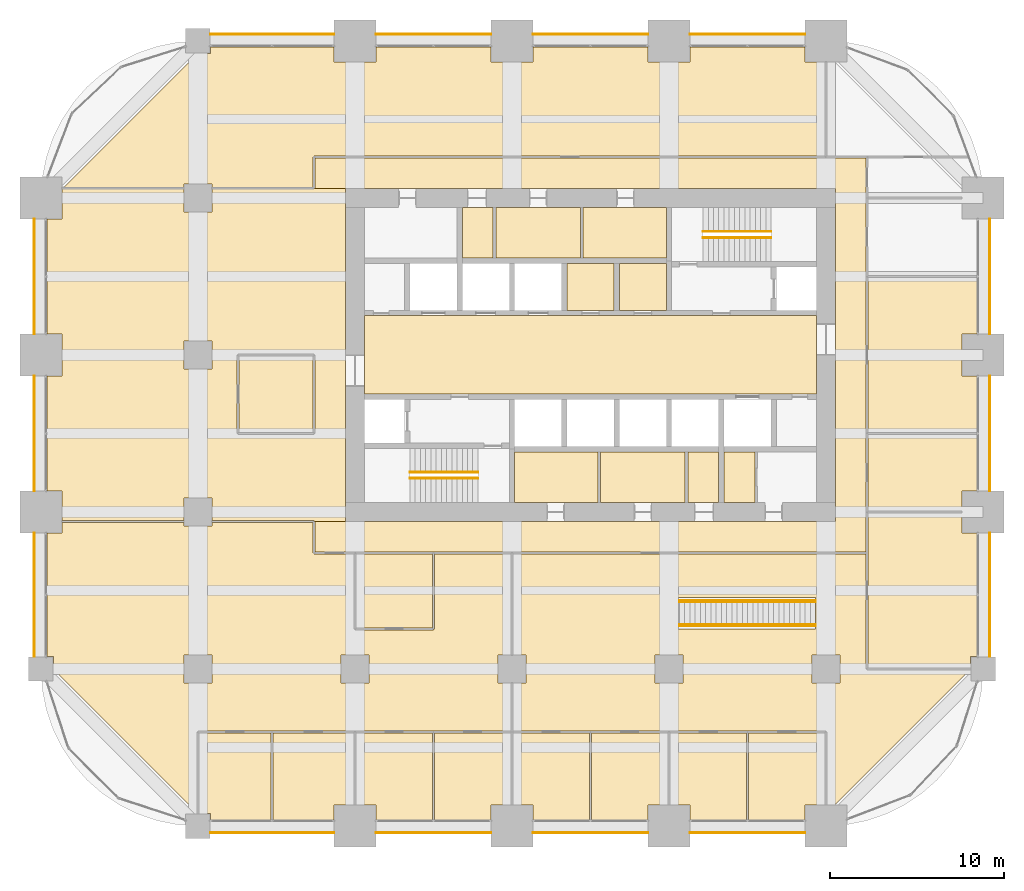
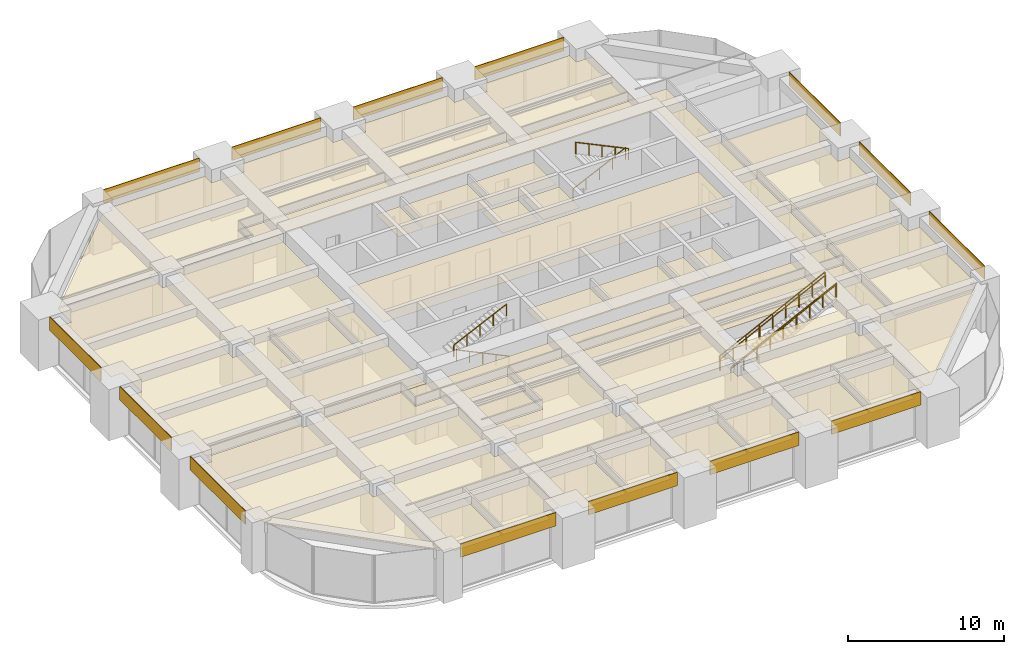
# One storey, part 33 of 34: 42 coverings, 8 railings.
"""IFC4 building model written with IfcOpenShell, lengths in metres."""

import ifcopenshell
import ifcopenshell.guid

model = None  # the IFC model being written
_history = None  # IfcOwnerHistory: only IFC2X3 demands one
_inside = {}  # id of a spatial element -> (the spatial element, [elements in it])
_under = {}  # id of a project, library or spatial element -> (it, [spatial elements below it])
_declared = {}  # id of a project -> (the project, [libraries it declares])
_typed = {}  # id of a type object -> (the type object, [elements of that type])
_made_of = {}  # id of a material, layer set ... -> (it, [elements and type objects made of it])


def new_model(schema):
    """Start an empty IFC model of exactly this schema.

    Asked for "IFC4X3", IfcOpenShell would pick the latest addendum, in which some entities
    have other attributes; the version numbers below select the first issue.
    IFC2X3 requires an IfcOwnerHistory on every rooted entity: one is made here for all.
    """
    global model, _history
    if schema == "IFC4X3":
        model = ifcopenshell.file(schema_version=(4, 3, 0, 0))
    else:
        model = ifcopenshell.file(schema=schema)
    _inside.clear()
    _under.clear()
    _declared.clear()
    _typed.clear()
    _made_of.clear()
    _history = None
    if model.schema == "IFC2X3":
        org = make("IfcOrganization", Name="unknown")
        user = make(
            "IfcPersonAndOrganization",
            ThePerson=make("IfcPerson", FamilyName="unknown"),
            TheOrganization=org,
        )
        app = make(
            "IfcApplication",
            ApplicationDeveloper=org,
            Version="unknown",
            ApplicationFullName="unknown",
            ApplicationIdentifier="unknown",
        )
        _history = make(
            "IfcOwnerHistory",
            OwningUser=user,
            OwningApplication=app,
            ChangeAction="ADDED",
            CreationDate=0,
        )
    return model


def make(cls, **values):
    """One entity of the class cls with the attributes given. An attribute that is None is left unset."""
    return model.create_entity(
        cls, **{name: value for name, value in values.items() if value is not None}
    )


def rooted(cls, **values):
    """An entity with a GlobalId (a new one), such as an element, a storey or a relation."""
    return make(cls, GlobalId=ifcopenshell.guid.new(), OwnerHistory=_history, **values)


def si_unit(unit_type, name, prefix=None):
    """IfcSIUnit, for example si_unit("LENGTHUNIT", "METRE", prefix="MILLI")."""
    return make("IfcSIUnit", UnitType=unit_type, Prefix=prefix, Name=name)


def assignment(units):
    """IfcUnitAssignment: the units of a project."""
    return None if units is None else make("IfcUnitAssignment", Units=units)


def point(xyz):
    """IfcCartesianPoint."""
    return None if xyz is None else make("IfcCartesianPoint", Coordinates=xyz)


def direction(xyz):
    """IfcDirection."""
    return None if xyz is None else make("IfcDirection", DirectionRatios=xyz)


def frame(location, z_axis=None, x_axis=None):
    """IfcAxis2Placement3D, a coordinate frame: its origin and axes. An axis left out is left unset."""
    return make(
        "IfcAxis2Placement3D",
        Location=point(location),
        Axis=direction(z_axis),
        RefDirection=direction(x_axis),
    )


def frame_2d(location, x_axis=None):
    """IfcAxis2Placement2D, a coordinate frame in the plane: its origin and x axis."""
    return make(
        "IfcAxis2Placement2D", Location=point(location), RefDirection=direction(x_axis)
    )


def origin():
    """The frame at (0, 0, 0) with its axes left unset."""
    return frame((0.0, 0.0, 0.0))


def origin_2d():
    """The frame at (0, 0) in the plane with its x axis left unset."""
    return frame_2d((0.0, 0.0))


def place(relative_to, where):
    """IfcLocalPlacement: puts the frame where relative to a parent placement (None: the world)."""
    return make(
        "IfcLocalPlacement", PlacementRelTo=relative_to, RelativePlacement=where
    )


def context(
    kind, dimensions, precision=None, world=None, true_north=None, identifier=None
):
    """IfcGeometricRepresentationContext, for example the 3D "Model" context."""
    return make(
        "IfcGeometricRepresentationContext",
        ContextIdentifier=identifier,
        ContextType=kind,
        CoordinateSpaceDimension=dimensions,
        Precision=precision,
        WorldCoordinateSystem=world,
        TrueNorth=true_north,
    )


def subcontext(parent, identifier, kind, view, scale=None):
    """IfcGeometricRepresentationSubContext, for example "Body" below "Model"."""
    return make(
        "IfcGeometricRepresentationSubContext",
        ContextIdentifier=identifier,
        ContextType=kind,
        ParentContext=parent,
        TargetScale=scale,
        TargetView=view,
    )


def project(units=None, contexts=None):
    """IfcProject with its units and contexts."""
    return rooted(
        "IfcProject",
        Name="project",
        RepresentationContexts=contexts,
        UnitsInContext=assignment(units),
    )


def spatial(cls, under=None, at=None, **own):
    """A site, building, storey or space (cls), placed at a placement, below another one or the project."""
    s = rooted(cls, ObjectPlacement=at, **own)
    if under is not None:
        _under.setdefault(under.id(), (under, []))[1].append(s)
    return s


def polyline(points):
    """IfcPolyline through the points."""
    return make("IfcPolyline", Points=[point(p) for p in points])


def profile(cls, at=None, kind="AREA", **sizes):
    """A parametric profile (cls). Its sizes go by their IFC names, for example OverallWidth=200.0."""
    return make(cls, ProfileType=kind, Position=at, **sizes)


def rectangle(**sizes):
    """IfcRectangleProfileDef."""
    return profile("IfcRectangleProfileDef", **sizes)


def circle(**sizes):
    """IfcCircleProfileDef."""
    return profile("IfcCircleProfileDef", **sizes)


def outline(outer, holes=None, kind="AREA"):
    """IfcArbitraryClosedProfileDef: a profile drawn as a closed curve; with holes, ...WithVoids."""
    if holes is None:
        return make("IfcArbitraryClosedProfileDef", ProfileType=kind, OuterCurve=outer)
    return make(
        "IfcArbitraryProfileDefWithVoids",
        ProfileType=kind,
        OuterCurve=outer,
        InnerCurves=holes,
    )


def extrude(swept, where, along, depth):
    """IfcExtrudedAreaSolid: the profile swept, set in the frame where, extruded along a direction by depth."""
    return make(
        "IfcExtrudedAreaSolid",
        SweptArea=swept,
        Position=where,
        ExtrudedDirection=direction(along),
        Depth=depth,
    )


def shape(context_of_items, identifier, shape_type, items):
    """IfcShapeRepresentation: the items that make up one representation, for example the "Body"."""
    return make(
        "IfcShapeRepresentation",
        ContextOfItems=context_of_items,
        RepresentationIdentifier=identifier,
        RepresentationType=shape_type,
        Items=items,
    )


def material(Name=None, Category=None):
    """IfcMaterial."""
    return make("IfcMaterial", Name=Name, Category=Category)


def layer(
    of_material, thickness, ventilated=None, Name=None, Category=None, Priority=None
):
    """IfcMaterialLayer: one layer of a wall or slab, of a material (None: an air gap)."""
    return make(
        "IfcMaterialLayer",
        Material=of_material,
        LayerThickness=thickness,
        IsVentilated=ventilated,
        Name=Name,
        Category=Category,
        Priority=Priority,
    )


def layer_set(layers, Name=None):
    """IfcMaterialLayerSet."""
    return make("IfcMaterialLayerSet", MaterialLayers=layers, LayerSetName=Name)


def made_of(thing, what):
    """Note that an element or type object is made of a material, layer set ...; save() writes the relation."""
    if what is not None:
        _made_of.setdefault(what.id(), (what, []))[1].append(thing)
    return thing


def type_object(cls, material=None, **own):
    """A type object (cls), such as IfcWallType, which elements share."""
    return made_of(rooted(cls, **own), material)


def element(
    cls,
    number,
    at=None,
    inside=None,
    cuts=None,
    type_object=None,
    material=None,
    context=None,
    identifier="Body",
    shape_type=None,
    held_by="IfcProductDefinitionShape",
    body=None,
    shapes=None,
    **own,
):
    """One element of the class cls, such as IfcWall. Its Tag is "e" and its number.

    at: its placement. inside: the storey or other place that contains it. cuts: it is an
    opening in that element (IfcRelVoidsElement). A single representation is given by context,
    identifier, shape_type and body (its items); several are given by shapes. held_by: the class
    of the entity that holds the representations. save() writes the other relations.
    """
    e = rooted(cls, Tag="e%d" % number, ObjectPlacement=at, **own)
    if body is not None:
        shapes = [shape(context, identifier, shape_type, body)]
    if shapes is not None:
        e.Representation = make(held_by, Representations=shapes)
    if inside is not None:
        _inside.setdefault(inside.id(), (inside, []))[1].append(e)
    if cuts is not None:
        rooted(
            "IfcRelVoidsElement", RelatingBuildingElement=cuts, RelatedOpeningElement=e
        )
    if type_object is not None:
        _typed.setdefault(type_object.id(), (type_object, []))[1].append(e)
    return made_of(e, material)


def aggregate(whole, parts):
    """IfcRelAggregates: a whole, such as a stair, and the parts it consists of."""
    return rooted("IfcRelAggregates", RelatingObject=whole, RelatedObjects=parts)


def save(model, path):
    """Write the relations noted so far, then the file.

    IfcRelAggregates (storeys below a building ...), IfcRelContainedInSpatialStructure (elements
    in a storey), IfcRelDefinesByType, IfcRelAssociatesMaterial and IfcRelDeclares: one each for
    every whole, place, type object, material and project.
    """
    for whole, parts in _under.values():
        aggregate(whole, parts)
    for where, things in _inside.values():
        rooted(
            "IfcRelContainedInSpatialStructure",
            RelatedElements=things,
            RelatingStructure=where,
        )
    for kind, things in _typed.values():
        rooted("IfcRelDefinesByType", RelatedObjects=things, RelatingType=kind)
    for what, things in _made_of.values():
        rooted("IfcRelAssociatesMaterial", RelatedObjects=things, RelatingMaterial=what)
    for by, libraries in _declared.values():
        rooted("IfcRelDeclares", RelatingContext=by, RelatedDefinitions=libraries)
    model.write(path)


model = new_model("IFC4")

# Units and contexts
model_context = context("Model", 3, precision=1e-05, world=origin(), true_north=direction((0.0, 1.0)))
body_context = subcontext(model_context, "Body", "Model", "MODEL_VIEW")
ifc_project = project(units=[si_unit("LENGTHUNIT", "METRE"), si_unit("AREAUNIT", "SQUARE_METRE"), si_unit("VOLUMEUNIT", "CUBIC_METRE"), si_unit("PLANEANGLEUNIT", "RADIAN"), si_unit("MASSUNIT", "GRAM", prefix="KILO")], contexts=[model_context])

# Site, building, storey
site_placement = place(None, origin())
site = spatial("IfcSite", under=ifc_project, at=site_placement, CompositionType="ELEMENT")
building_placement = place(site_placement, origin())
building = spatial("IfcBuilding", under=site, at=building_placement, Name="Zorevar Civic Tower", CompositionType="ELEMENT")
storey_placement = place(building_placement, frame((0.0, 0.0, 174.199951171875)))
storey = spatial("IfcBuildingStorey", under=building, at=storey_placement, Name="L42", CompositionType="ELEMENT", Elevation=174.199951171875)

# Railings
ifc_material_1 = material(Name="Laminated glass balustrade with black steel handrail", Category="steel")
railing_type_1 = type_object("IfcRailingType", Name="Balustrade BL1 1100", PredefinedType="BALUSTRADE", material=ifc_material_1)
for number, where, name in (
    (1, (36.60009765625, 11.47998046875, 0.148193359375), "Balustrade BL1 interconnecting stair L42"),
    (2, (36.60009765625, 12.919921875, 0.148193359375), "Balustrade BL1 interconnecting stair L42"),
):
    element("IfcRailing", number, at=place(storey_placement, frame(where)), inside=storey, type_object=railing_type_1, Name=name, PredefinedType="BALUSTRADE", context=body_context, shape_type="SweptSolid", body=[
        extrude(circle(Radius=0.02392578125, at=origin_2d()), frame((0.0, 0.0, 1.076171875), z_axis=(0.896627794226, 0.0, 0.442785047875), x_axis=(0.0, 1.0, 0.0)), (0.0, 0.0, 1.0), 8.698974609375),
        extrude(circle(Radius=0.02099609375, at=origin_2d()), origin(), (0.0, 0.0, 1.0), 1.052001953125),
        extrude(circle(Radius=0.02099609375, at=origin_2d()), frame((0.97509765625, 0.0, 0.4814453125)), (0.0, 0.0, 1.0), 1.052001953125),
        extrude(circle(Radius=0.02099609375, at=origin_2d()), frame((1.949951171875, 0.0, 0.962890625)), (0.0, 0.0, 1.0), 1.052001953125),
        extrude(circle(Radius=0.02099609375, at=origin_2d()), frame((2.9248046875, 0.0, 1.4443359375)), (0.0, 0.0, 1.0), 1.052001953125),
        extrude(circle(Radius=0.02099609375, at=origin_2d()), frame((3.89990234375, 0.0, 1.92578125)), (0.0, 0.0, 1.0), 1.052001953125),
        extrude(circle(Radius=0.02099609375, at=origin_2d()), frame((4.875, 0.0, 2.407470703125)), (0.0, 0.0, 1.0), 1.052001953125),
        extrude(circle(Radius=0.02099609375, at=origin_2d()), frame((5.849853515625, 0.0, 2.888916015625)), (0.0, 0.0, 1.0), 1.052001953125),
        extrude(circle(Radius=0.02099609375, at=origin_2d()), frame((6.82470703125, 0.0, 3.370361328125)), (0.0, 0.0, 1.0), 1.052001953125),
        extrude(circle(Radius=0.02099609375, at=origin_2d()), frame((7.7998046875, 0.0, 3.851806640625)), (0.0, 0.0, 1.0), 1.052001953125),
    ])
ifc_material_2 = material(Name="Black steel handrail", Category="steel")
railing_type_2 = type_object("IfcRailingType", Name="Handrail HR1 900", PredefinedType="HANDRAIL", material=ifc_material_2)
railing_1_placement = place(storey_placement, frame((25.050048828125, 19.925048828125, 0.142822265625)))
element("IfcRailing", 3, at=railing_1_placement, inside=storey, type_object=railing_type_2, Name="Handrail HR1 ST1 L42", PredefinedType="HANDRAIL", context=body_context, shape_type="SweptSolid", body=[
    extrude(circle(Radius=0.02392578125, at=origin_2d()), frame((0.0, 0.0, 0.8759765625), z_axis=(-0.902863652845, 0.0, 0.429926998885), x_axis=(0.0, -1.0, 0.0)), (0.0, 0.0, 1.0), 4.31982421875),
    extrude(circle(Radius=0.02099609375, at=origin_2d()), origin(), (0.0, 0.0, 1.0), 0.851806640625),
    extrude(circle(Radius=0.02099609375, at=origin_2d()), frame((-0.97509765625, 0.0, 0.46435546875)), (0.0, 0.0, 1.0), 0.851806640625),
    extrude(circle(Radius=0.02099609375, at=origin_2d()), frame((-1.9501953125, 0.0, 0.9287109375)), (0.0, 0.0, 1.0), 0.851806640625),
    extrude(circle(Radius=0.02099609375, at=origin_2d()), frame((-2.925048828125, 0.0, 1.392822265625)), (0.0, 0.0, 1.0), 0.851806640625),
    extrude(circle(Radius=0.02099609375, at=origin_2d()), frame((-3.900146484375, 0.0, 1.857177734375)), (0.0, 0.0, 1.0), 0.851806640625),
])
for number, where, name in (
    (4, (21.14990234375, 20.27490234375, 2.142822265625), "Handrail HR1 ST1 L42"),
    (5, (37.949951171875, 34.074951171875, 0.142822265625), "Handrail HR1 ST2 L42"),
):
    element("IfcRailing", number, at=place(storey_placement, frame(where)), inside=storey, type_object=railing_type_2, Name=name, PredefinedType="HANDRAIL", context=body_context, shape_type="SweptSolid", body=[
        extrude(circle(Radius=0.02392578125, at=origin_2d()), frame((0.0, 0.0, 0.8759765625), z_axis=(0.902863652845, 0.0, 0.429926998885), x_axis=(0.0, 1.0, 0.0)), (0.0, 0.0, 1.0), 4.31982421875),
        extrude(circle(Radius=0.02099609375, at=origin_2d()), origin(), (0.0, 0.0, 1.0), 0.851806640625),
        extrude(circle(Radius=0.02099609375, at=origin_2d()), frame((0.97509765625, 0.0, 0.46435546875)), (0.0, 0.0, 1.0), 0.851806640625),
        extrude(circle(Radius=0.02099609375, at=origin_2d()), frame((1.9501953125, 0.0, 0.9287109375)), (0.0, 0.0, 1.0), 0.851806640625),
        extrude(circle(Radius=0.02099609375, at=origin_2d()), frame((2.925048828125, 0.0, 1.392822265625)), (0.0, 0.0, 1.0), 0.851806640625),
        extrude(circle(Radius=0.02099609375, at=origin_2d()), frame((3.900146484375, 0.0, 1.857177734375)), (0.0, 0.0, 1.0), 0.851806640625),
    ])
railing_2_placement = place(storey_placement, frame((41.85009765625, 33.72509765625, 2.142822265625)))
element("IfcRailing", 6, at=railing_2_placement, inside=storey, type_object=railing_type_2, Name="Handrail HR1 ST2 L42", PredefinedType="HANDRAIL", context=body_context, shape_type="SweptSolid", body=[
    extrude(circle(Radius=0.02392578125, at=origin_2d()), frame((0.0, 0.0, 0.8759765625), z_axis=(-0.902863652845, 0.0, 0.429926998885), x_axis=(0.0, -1.0, 0.0)), (0.0, 0.0, 1.0), 4.31982421875),
    extrude(circle(Radius=0.02099609375, at=origin_2d()), origin(), (0.0, 0.0, 1.0), 0.851806640625),
    extrude(circle(Radius=0.02099609375, at=origin_2d()), frame((-0.97509765625, 0.0, 0.46435546875)), (0.0, 0.0, 1.0), 0.851806640625),
    extrude(circle(Radius=0.02099609375, at=origin_2d()), frame((-1.9501953125, 0.0, 0.9287109375)), (0.0, 0.0, 1.0), 0.851806640625),
    extrude(circle(Radius=0.02099609375, at=origin_2d()), frame((-2.925048828125, 0.0, 1.392822265625)), (0.0, 0.0, 1.0), 0.851806640625),
    extrude(circle(Radius=0.02099609375, at=origin_2d()), frame((-3.900146484375, 0.0, 1.857177734375)), (0.0, 0.0, 1.0), 0.851806640625),
])
for number, where, name in (
    (7, (36.60009765625, 11.550048828125, 0.148193359375), "Handrail HR1 interconnecting stair L42"),
    (8, (36.60009765625, 12.85009765625, 0.148193359375), "Handrail HR1 interconnecting stair L42"),
):
    element("IfcRailing", number, at=place(storey_placement, frame(where)), inside=storey, type_object=railing_type_2, Name=name, PredefinedType="HANDRAIL", context=body_context, shape_type="SweptSolid", body=[
        extrude(circle(Radius=0.02392578125, at=origin_2d()), frame((0.0, 0.0, 0.8759765625), z_axis=(0.896627794226, 0.0, 0.442785047875), x_axis=(0.0, 1.0, 0.0)), (0.0, 0.0, 1.0), 8.698974609375),
        extrude(circle(Radius=0.02099609375, at=origin_2d()), origin(), (0.0, 0.0, 1.0), 0.851806640625),
        extrude(circle(Radius=0.02099609375, at=origin_2d()), frame((0.97509765625, 0.0, 0.4814453125)), (0.0, 0.0, 1.0), 0.851806640625),
        extrude(circle(Radius=0.02099609375, at=origin_2d()), frame((1.949951171875, 0.0, 0.962890625)), (0.0, 0.0, 1.0), 0.851806640625),
        extrude(circle(Radius=0.02099609375, at=origin_2d()), frame((2.9248046875, 0.0, 1.4443359375)), (0.0, 0.0, 1.0), 0.851806640625),
        extrude(circle(Radius=0.02099609375, at=origin_2d()), frame((3.89990234375, 0.0, 1.92578125)), (0.0, 0.0, 1.0), 0.851806640625),
        extrude(circle(Radius=0.02099609375, at=origin_2d()), frame((4.875, 0.0, 2.407470703125)), (0.0, 0.0, 1.0), 0.851806640625),
        extrude(circle(Radius=0.02099609375, at=origin_2d()), frame((5.849853515625, 0.0, 2.888916015625)), (0.0, 0.0, 1.0), 0.851806640625),
        extrude(circle(Radius=0.02099609375, at=origin_2d()), frame((6.82470703125, 0.0, 3.370361328125)), (0.0, 0.0, 1.0), 0.851806640625),
        extrude(circle(Radius=0.02099609375, at=origin_2d()), frame((7.7998046875, 0.0, 3.851806640625)), (0.0, 0.0, 1.0), 0.851806640625),
    ])

# Coverings
ifc_material_3 = material(Name="Moisture-resistant gypsum board")
ifc_layer_1 = layer(ifc_material_3, 0.012451171875)
ifc_layer_set_1 = layer_set([ifc_layer_1], Name="Moisture-resistant ceiling SC3")
covering_type_1 = type_object("IfcCoveringType", Name="Moisture-resistant ceiling SC3", PredefinedType="CEILING", material=ifc_layer_set_1)
covering_1_placement = place(storey_placement, frame((0.0, 0.0, 3.0)))
element("IfcCovering", 9, at=covering_1_placement, inside=storey, type_object=covering_type_1, Name="Ceiling L42-05", PredefinedType="CEILING", context=body_context, shape_type="SweptSolid", body=[
    extrude(outline(polyline([(31.925048828125, 18.550048828125), (31.925048828125, 21.449951171875), (27.14990234375, 21.449951171875), (27.14990234375, 18.550048828125), (31.925048828125, 18.550048828125)])), origin(), (0.0, 0.0, 1.0), 0.012451171875),
])
covering_2_placement = place(storey_placement, frame((0.0, 0.0, 3.0)))
element("IfcCovering", 10, at=covering_2_placement, inside=storey, type_object=covering_type_1, Name="Ceiling L42-06", PredefinedType="CEILING", context=body_context, shape_type="SweptSolid", body=[
    extrude(outline(polyline([(36.925048828125, 18.550048828125), (36.925048828125, 21.449951171875), (32.074951171875, 21.449951171875), (32.074951171875, 18.550048828125), (36.925048828125, 18.550048828125)])), origin(), (0.0, 0.0, 1.0), 0.012451171875),
])
covering_3_placement = place(storey_placement, frame((0.0, 0.0, 3.0)))
element("IfcCovering", 11, at=covering_3_placement, inside=storey, type_object=covering_type_1, Name="Ceiling L42-07", PredefinedType="CEILING", context=body_context, shape_type="SweptSolid", body=[
    extrude(outline(polyline([(38.85009765625, 18.550048828125), (38.85009765625, 21.449951171875), (37.074951171875, 21.449951171875), (37.074951171875, 18.550048828125), (38.85009765625, 18.550048828125)])), origin(), (0.0, 0.0, 1.0), 0.012451171875),
])
covering_4_placement = place(storey_placement, frame((0.0, 0.0, 3.0)))
element("IfcCovering", 12, at=covering_4_placement, inside=storey, type_object=covering_type_1, Name="Ceiling L42-08", PredefinedType="CEILING", context=body_context, shape_type="SweptSolid", body=[
    extrude(outline(polyline([(35.85009765625, 32.550048828125), (35.85009765625, 35.449951171875), (31.074951171875, 35.449951171875), (31.074951171875, 32.550048828125), (35.85009765625, 32.550048828125)])), origin(), (0.0, 0.0, 1.0), 0.012451171875),
])
covering_5_placement = place(storey_placement, frame((0.0, 0.0, 3.0)))
element("IfcCovering", 13, at=covering_5_placement, inside=storey, type_object=covering_type_1, Name="Ceiling L42-09", PredefinedType="CEILING", context=body_context, shape_type="SweptSolid", body=[
    extrude(outline(polyline([(30.925048828125, 32.550048828125), (30.925048828125, 35.449951171875), (26.074951171875, 35.449951171875), (26.074951171875, 32.550048828125), (30.925048828125, 32.550048828125)])), origin(), (0.0, 0.0, 1.0), 0.012451171875),
])
covering_6_placement = place(storey_placement, frame((0.0, 0.0, 3.0)))
element("IfcCovering", 14, at=covering_6_placement, inside=storey, type_object=covering_type_1, Name="Ceiling L42-10", PredefinedType="CEILING", context=body_context, shape_type="SweptSolid", body=[
    extrude(outline(polyline([(25.925048828125, 32.550048828125), (25.925048828125, 35.449951171875), (24.14990234375, 35.449951171875), (24.14990234375, 32.550048828125), (25.925048828125, 32.550048828125)])), origin(), (0.0, 0.0, 1.0), 0.012451171875),
])
ifc_material_4 = material(Name="Black anodised aluminium spandrel panel", Category="aluminium")
ifc_layer_2 = layer(ifc_material_4, 0.050048828125)
ifc_layer_set_2 = layer_set([ifc_layer_2], Name="Spandrel cladding SP1")
covering_type_2 = type_object("IfcCoveringType", Name="Spandrel cladding SP1", PredefinedType="CLADDING", material=ifc_layer_set_2)
covering_7_placement = place(storey_placement, frame((9.699951171875, -0.375, 2.949951171875), z_axis=(0.0, 0.0, 1.0), x_axis=(1.0, 0.0, 0.0)))
element("IfcCovering", 15, at=covering_7_placement, inside=storey, type_object=covering_type_2, Name="Spandrel cladding L43", PredefinedType="CLADDING", context=body_context, shape_type="SweptSolid", body=[
    extrude(rectangle(XDim=7.10009765625, YDim=0.050048828125, at=frame_2d((3.550048828125, 0.0))), origin(), (0.0, 0.0, 1.0), 1.050048828125),
])
for number, where, z_axis, x_axis, name in (
    (16, (19.199951171875, -0.375, 2.949951171875), (0.0, 0.0, 1.0), (1.0, 0.0, 0.0), "Spandrel cladding L43"),
    (17, (28.199951171875, -0.375, 2.949951171875), (0.0, 0.0, 1.0), (1.0, 0.0, 0.0), "Spandrel cladding L43"),
    (18, (37.199951171875, -0.375, 2.949951171875), (0.0, 0.0, 1.0), (1.0, 0.0, 0.0), "Spandrel cladding L43"),
):
    element("IfcCovering", number, at=place(storey_placement, frame(where, z_axis=z_axis, x_axis=x_axis)), inside=storey, type_object=covering_type_2, Name=name, PredefinedType="CLADDING", context=body_context, shape_type="SweptSolid", body=[
        extrude(rectangle(XDim=6.60009765625, YDim=0.050048828125, at=frame_2d((3.300048828125, 0.0))), origin(), (0.0, 0.0, 1.0), 1.050048828125),
    ])
covering_8_placement = place(storey_placement, frame((9.699951171875, 45.375, 2.949951171875), z_axis=(0.0, 0.0, 1.0), x_axis=(1.0, 0.0, 0.0)))
element("IfcCovering", 19, at=covering_8_placement, inside=storey, type_object=covering_type_2, Name="Spandrel cladding L43", PredefinedType="CLADDING", context=body_context, shape_type="SweptSolid", body=[
    extrude(rectangle(XDim=7.10009765625, YDim=0.050048828125, at=frame_2d((3.550048828125, 0.0))), origin(), (0.0, 0.0, 1.0), 1.050048828125),
])
for number, where, z_axis, x_axis, name in (
    (20, (19.199951171875, 45.375, 2.949951171875), (0.0, 0.0, 1.0), (1.0, 0.0, 0.0), "Spandrel cladding L43"),
    (21, (28.199951171875, 45.375, 2.949951171875), (0.0, 0.0, 1.0), (1.0, 0.0, 0.0), "Spandrel cladding L43"),
    (22, (37.199951171875, 45.375, 2.949951171875), (0.0, 0.0, 1.0), (1.0, 0.0, 0.0), "Spandrel cladding L43"),
):
    element("IfcCovering", number, at=place(storey_placement, frame(where, z_axis=z_axis, x_axis=x_axis)), inside=storey, type_object=covering_type_2, Name=name, PredefinedType="CLADDING", context=body_context, shape_type="SweptSolid", body=[
        extrude(rectangle(XDim=6.60009765625, YDim=0.050048828125, at=frame_2d((3.300048828125, 0.0))), origin(), (0.0, 0.0, 1.0), 1.050048828125),
    ])
covering_9_placement = place(storey_placement, frame((-0.375, 9.699951171875, 2.949951171875), z_axis=(0.0, 0.0, 1.0), x_axis=(0.0, 1.0, 0.0)))
element("IfcCovering", 23, at=covering_9_placement, inside=storey, type_object=covering_type_2, Name="Spandrel cladding L43", PredefinedType="CLADDING", context=body_context, shape_type="SweptSolid", body=[
    extrude(rectangle(XDim=7.10009765625, YDim=0.050048828125, at=frame_2d((3.550048828125, 0.0))), origin(), (0.0, 0.0, 1.0), 1.050048828125),
])
for number, where, z_axis, x_axis, name in (
    (24, (-0.375, 19.199951171875, 2.949951171875), (0.0, 0.0, 1.0), (0.0, 1.0, 0.0), "Spandrel cladding L43"),
    (25, (-0.375, 28.199951171875, 2.949951171875), (0.0, 0.0, 1.0), (0.0, 1.0, 0.0), "Spandrel cladding L43"),
):
    element("IfcCovering", number, at=place(storey_placement, frame(where, z_axis=z_axis, x_axis=x_axis)), inside=storey, type_object=covering_type_2, Name=name, PredefinedType="CLADDING", context=body_context, shape_type="SweptSolid", body=[
        extrude(rectangle(XDim=6.60009765625, YDim=0.050048828125, at=frame_2d((3.300048828125, 0.0))), origin(), (0.0, 0.0, 1.0), 1.050048828125),
    ])
covering_10_placement = place(storey_placement, frame((54.375, 9.699951171875, 2.949951171875), z_axis=(0.0, 0.0, 1.0), x_axis=(0.0, 1.0, 0.0)))
element("IfcCovering", 26, at=covering_10_placement, inside=storey, type_object=covering_type_2, Name="Spandrel cladding L43", PredefinedType="CLADDING", context=body_context, shape_type="SweptSolid", body=[
    extrude(rectangle(XDim=7.10009765625, YDim=0.050048828125, at=frame_2d((3.550048828125, 0.0))), origin(), (0.0, 0.0, 1.0), 1.050048828125),
])
for number, where, z_axis, x_axis, name in (
    (27, (54.375, 19.199951171875, 2.949951171875), (0.0, 0.0, 1.0), (0.0, 1.0, 0.0), "Spandrel cladding L43"),
    (28, (54.375, 28.199951171875, 2.949951171875), (0.0, 0.0, 1.0), (0.0, 1.0, 0.0), "Spandrel cladding L43"),
):
    element("IfcCovering", number, at=place(storey_placement, frame(where, z_axis=z_axis, x_axis=x_axis)), inside=storey, type_object=covering_type_2, Name=name, PredefinedType="CLADDING", context=body_context, shape_type="SweptSolid", body=[
        extrude(rectangle(XDim=6.60009765625, YDim=0.050048828125, at=frame_2d((3.300048828125, 0.0))), origin(), (0.0, 0.0, 1.0), 1.050048828125),
    ])
ifc_material_5 = material(Name="Mineral fibre tiles on a concealed grid")
ifc_layer_3 = layer(ifc_material_5, 0.02001953125)
ifc_layer_set_3 = layer_set([ifc_layer_3], Name="Suspended ceiling SC1")
covering_type_3 = type_object("IfcCoveringType", Name="Suspended ceiling SC1", PredefinedType="CEILING", material=ifc_layer_set_3)
covering_11_placement = place(storey_placement, frame((0.0, 0.0, 3.0)))
element("IfcCovering", 29, at=covering_11_placement, inside=storey, type_object=covering_type_3, Name="Ceiling L42-11", PredefinedType="CEILING", context=body_context, shape_type="SweptSolid", body=[
    extrude(outline(polyline([(40.93994140625, 18.550048828125), (40.93994140625, 21.449951171875), (39.14990234375, 21.449951171875), (39.14990234375, 18.550048828125), (40.93994140625, 18.550048828125)])), origin(), (0.0, 0.0, 1.0), 0.02001953125),
])
covering_12_placement = place(storey_placement, frame((0.0, 0.0, 3.0)))
element("IfcCovering", 30, at=covering_12_placement, inside=storey, type_object=covering_type_3, Name="Ceiling L42-16", PredefinedType="CEILING", context=body_context, shape_type="SweptSolid", body=[
    extrude(outline(polyline([(44.449951171875, 24.75), (44.449951171875, 29.25), (18.550048828125, 29.25), (18.550048828125, 24.75), (44.449951171875, 24.75)])), origin(), (0.0, 0.0, 1.0), 0.02001953125),
])
covering_13_placement = place(storey_placement, frame((0.0, 0.0, 3.0)))
element("IfcCovering", 31, at=covering_13_placement, inside=storey, type_object=covering_type_3, Name="Ceiling L42-17", PredefinedType="CEILING", context=body_context, shape_type="SweptSolid", body=[
    extrude(outline(polyline([(35.85009765625, 29.550048828125), (35.85009765625, 32.25), (33.14990234375, 32.25), (33.14990234375, 29.550048828125), (35.85009765625, 29.550048828125)])), origin(), (0.0, 0.0, 1.0), 0.02001953125),
])
covering_14_placement = place(storey_placement, frame((0.0, 0.0, 3.0)))
element("IfcCovering", 32, at=covering_14_placement, inside=storey, type_object=covering_type_3, Name="Ceiling L42-18", PredefinedType="CEILING", context=body_context, shape_type="SweptSolid", body=[
    extrude(outline(polyline([(32.85009765625, 29.550048828125), (32.85009765625, 32.25), (30.14990234375, 32.25), (30.14990234375, 29.550048828125), (32.85009765625, 29.550048828125)])), origin(), (0.0, 0.0, 1.0), 0.02001953125),
])
covering_15_placement = place(storey_placement, frame((0.0, 0.0, 3.0)))
element("IfcCovering", 33, at=covering_15_placement, inside=storey, type_object=covering_type_3, Name="Ceiling L42-19", PredefinedType="CEILING", context=body_context, shape_type="SweptSolid", body=[
    extrude(outline(polyline([(53.64990234375, 9.7099609375), (53.2900390625, 9.7099609375), (53.2900390625, 9.06005859375), (47.409912109375, 9.06005859375), (47.409912109375, 17.93994140625), (52.7900390625, 17.93994140625), (52.7900390625, 16.7900390625), (53.64990234375, 16.7900390625), (53.64990234375, 9.7099609375)])), origin(), (0.0, 0.0, 1.0), 0.02001953125),
])
covering_16_placement = place(storey_placement, frame((0.0, 0.0, 3.0)))
element("IfcCovering", 34, at=covering_16_placement, inside=storey, type_object=covering_type_3, Name="Ceiling L42-20", PredefinedType="CEILING", context=body_context, shape_type="SweptSolid", body=[
    extrude(outline(polyline([(47.409912109375, 22.43994140625), (53.64990234375, 22.43994140625), (53.64990234375, 19.2099609375), (52.7900390625, 19.2099609375), (52.7900390625, 18.06005859375), (47.409912109375, 18.06005859375), (47.409912109375, 22.43994140625)])), origin(), (0.0, 0.0, 1.0), 0.02001953125),
])
covering_17_placement = place(storey_placement, frame((0.0, 0.0, 3.0)))
element("IfcCovering", 35, at=covering_17_placement, inside=storey, type_object=covering_type_3, Name="Ceiling L42-21", PredefinedType="CEILING", context=body_context, shape_type="SweptSolid", body=[
    extrude(outline(polyline([(47.409912109375, 31.43994140625), (53.64990234375, 31.43994140625), (53.64990234375, 28.2099609375), (52.7900390625, 28.2099609375), (52.7900390625, 25.7900390625), (53.64990234375, 25.7900390625), (53.64990234375, 22.56005859375), (47.409912109375, 22.56005859375), (47.409912109375, 31.43994140625)])), origin(), (0.0, 0.0, 1.0), 0.02001953125),
])
covering_18_placement = place(storey_placement, frame((0.0, 0.0, 3.0)))
element("IfcCovering", 36, at=covering_18_placement, inside=storey, type_object=covering_type_3, Name="Ceiling L42-23", PredefinedType="CEILING", context=body_context, shape_type="SweptSolid", body=[
    extrude(outline(polyline([(13.18994140625, 5.340087890625), (13.18994140625, 0.35009765625), (9.7099609375, 0.35009765625), (9.7099609375, 0.7099609375), (9.06005859375, 0.7099609375), (9.06005859375, 5.340087890625), (13.18994140625, 5.340087890625)])), origin(), (0.0, 0.0, 1.0), 0.02001953125),
])
covering_19_placement = place(storey_placement, frame((0.0, 0.0, 3.0)))
element("IfcCovering", 37, at=covering_19_placement, inside=storey, type_object=covering_type_3, Name="Ceiling L42-24", PredefinedType="CEILING", context=body_context, shape_type="SweptSolid", body=[
    extrude(outline(polyline([(17.93994140625, 5.340087890625), (17.93994140625, 1.2099609375), (16.7900390625, 1.2099609375), (16.7900390625, 0.35009765625), (13.31005859375, 0.35009765625), (13.31005859375, 5.340087890625), (17.93994140625, 5.340087890625)])), origin(), (0.0, 0.0, 1.0), 0.02001953125),
])
covering_20_placement = place(storey_placement, frame((0.0, 0.0, 3.0)))
element("IfcCovering", 38, at=covering_20_placement, inside=storey, type_object=covering_type_3, Name="Ceiling L42-25", PredefinedType="CEILING", context=body_context, shape_type="SweptSolid", body=[
    extrude(outline(polyline([(22.43994140625, 5.340087890625), (22.43994140625, 0.35009765625), (19.2099609375, 0.35009765625), (19.2099609375, 1.2099609375), (18.06005859375, 1.2099609375), (18.06005859375, 5.340087890625), (22.43994140625, 5.340087890625)])), origin(), (0.0, 0.0, 1.0), 0.02001953125),
])
covering_21_placement = place(storey_placement, frame((0.0, 0.0, 3.0)))
element("IfcCovering", 39, at=covering_21_placement, inside=storey, type_object=covering_type_3, Name="Ceiling L42-26", PredefinedType="CEILING", context=body_context, shape_type="SweptSolid", body=[
    extrude(outline(polyline([(26.93994140625, 5.340087890625), (26.93994140625, 1.2099609375), (25.7900390625, 1.2099609375), (25.7900390625, 0.35009765625), (22.56005859375, 0.35009765625), (22.56005859375, 5.340087890625), (26.93994140625, 5.340087890625)])), origin(), (0.0, 0.0, 1.0), 0.02001953125),
])
covering_22_placement = place(storey_placement, frame((0.0, 0.0, 3.0)))
element("IfcCovering", 40, at=covering_22_placement, inside=storey, type_object=covering_type_3, Name="Ceiling L42-27", PredefinedType="CEILING", context=body_context, shape_type="SweptSolid", body=[
    extrude(outline(polyline([(31.43994140625, 5.340087890625), (31.43994140625, 0.35009765625), (28.2099609375, 0.35009765625), (28.2099609375, 1.2099609375), (27.06005859375, 1.2099609375), (27.06005859375, 5.340087890625), (31.43994140625, 5.340087890625)])), origin(), (0.0, 0.0, 1.0), 0.02001953125),
])
covering_23_placement = place(storey_placement, frame((0.0, 0.0, 3.0)))
element("IfcCovering", 41, at=covering_23_placement, inside=storey, type_object=covering_type_3, Name="Ceiling L42-28", PredefinedType="CEILING", context=body_context, shape_type="SweptSolid", body=[
    extrude(outline(polyline([(35.93994140625, 5.340087890625), (35.93994140625, 1.2099609375), (34.7900390625, 1.2099609375), (34.7900390625, 0.35009765625), (31.56005859375, 0.35009765625), (31.56005859375, 5.340087890625), (35.93994140625, 5.340087890625)])), origin(), (0.0, 0.0, 1.0), 0.02001953125),
])
covering_24_placement = place(storey_placement, frame((0.0, 0.0, 3.0)))
element("IfcCovering", 42, at=covering_24_placement, inside=storey, type_object=covering_type_3, Name="Ceiling L42-29", PredefinedType="CEILING", context=body_context, shape_type="SweptSolid", body=[
    extrude(outline(polyline([(40.43994140625, 5.340087890625), (40.43994140625, 0.35009765625), (37.2099609375, 0.35009765625), (37.2099609375, 1.2099609375), (36.06005859375, 1.2099609375), (36.06005859375, 5.340087890625), (40.43994140625, 5.340087890625)])), origin(), (0.0, 0.0, 1.0), 0.02001953125),
])
covering_25_placement = place(storey_placement, frame((0.0, 0.0, 3.0)))
element("IfcCovering", 43, at=covering_25_placement, inside=storey, type_object=covering_type_3, Name="Ceiling L42-30", PredefinedType="CEILING", context=body_context, shape_type="SweptSolid", body=[
    extrude(outline(polyline([(44.93994140625, 5.340087890625), (44.93994140625, 1.2099609375), (43.7900390625, 1.2099609375), (43.7900390625, 0.35009765625), (40.56005859375, 0.35009765625), (40.56005859375, 5.340087890625), (44.93994140625, 5.340087890625)])), origin(), (0.0, 0.0, 1.0), 0.02001953125),
])
covering_26_placement = place(storey_placement, frame((0.0, 0.0, 3.0)))
element("IfcCovering", 44, at=covering_26_placement, inside=storey, type_object=covering_type_3, Name="Ceiling L42-31", PredefinedType="CEILING", context=body_context, shape_type="SweptSolid", body=[
    extrude(outline(polyline([(18.06005859375, 15.590087890625), (22.43994140625, 15.590087890625), (22.43994140625, 11.360107421875), (18.06005859375, 11.360107421875), (18.06005859375, 15.590087890625)])), origin(), (0.0, 0.0, 1.0), 0.02001953125),
])
covering_27_placement = place(storey_placement, frame((0.0, 0.0, 3.0)))
element("IfcCovering", 45, at=covering_27_placement, inside=storey, type_object=covering_type_3, Name="Ceiling L42-32", PredefinedType="CEILING", context=body_context, shape_type="SweptSolid", body=[
    extrude(outline(polyline([(15.590087890625, 22.56005859375), (11.360107421875, 22.56005859375), (11.360107421875, 26.93994140625), (15.590087890625, 26.93994140625), (15.590087890625, 22.56005859375)])), origin(), (0.0, 0.0, 1.0), 0.02001953125),
])
covering_28_placement = place(storey_placement, frame((0.0, 0.0, 3.0)))
element("IfcCovering", 46, at=covering_28_placement, inside=storey, type_object=covering_type_3, Name="Ceiling L42-34", PredefinedType="CEILING", context=body_context, shape_type="SweptSolid", body=[
    extrude(outline(polyline([(15.699951171875, 38.300048828125), (47.300048828125, 38.300048828125), (47.300048828125, 36.0), (47.2900390625, 36.0), (47.2900390625, 15.699951171875), (22.5, 15.699951171875), (22.5, 15.7099609375), (18.0, 15.7099609375), (18.0, 15.699951171875), (15.699951171875, 15.699951171875), (15.699951171875, 17.449951171875), (45.550048828125, 17.449951171875), (45.550048828125, 36.550048828125), (15.699951171875, 36.550048828125), (15.699951171875, 38.300048828125)])), origin(), (0.0, 0.0, 1.0), 0.02001953125),
])
covering_29_placement = place(storey_placement, frame((0.0, 0.0, 3.0)))
element("IfcCovering", 47, at=covering_29_placement, inside=storey, type_object=covering_type_3, Name="Ceiling L42-35", PredefinedType="CEILING", context=body_context, shape_type="SweptSolid", body=[
    extrude(outline(polyline([(16.7900390625, 43.7900390625), (19.2099609375, 43.7900390625), (19.2099609375, 44.64990234375), (25.7900390625, 44.64990234375), (25.7900390625, 43.7900390625), (28.2099609375, 43.7900390625), (28.2099609375, 44.64990234375), (34.7900390625, 44.64990234375), (34.7900390625, 43.7900390625), (37.2099609375, 43.7900390625), (37.2099609375, 44.64990234375), (43.7900390625, 44.64990234375), (43.7900390625, 43.7900390625), (44.949951171875, 43.7900390625), (44.949951171875, 38.39990234375), (15.64990234375, 38.39990234375), (15.64990234375, 38.35009765625), (15.60009765625, 38.35009765625), (15.60009765625, 36.60009765625), (9.81005859375, 36.60009765625), (9.81005859375, 36.81005859375), (8.18994140625, 36.81005859375), (8.18994140625, 36.60009765625), (1.30712890625, 36.60009765625), (8.9970703125, 44.2900390625), (9.7099609375, 44.2900390625), (9.7099609375, 44.64990234375), (16.7900390625, 44.64990234375), (16.7900390625, 43.7900390625)])), origin(), (0.0, 0.0, 1.0), 0.02001953125),
])
covering_30_placement = place(storey_placement, frame((0.0, 0.0, 3.0)))
element("IfcCovering", 48, at=covering_30_placement, inside=storey, type_object=covering_type_3, Name="Ceiling L42-37", PredefinedType="CEILING", context=body_context, shape_type="SweptSolid", body=[
    extrude(outline(polyline([(1.2099609375, 16.7900390625), (1.2099609375, 17.39990234375), (8.18994140625, 17.39990234375), (8.18994140625, 17.18994140625), (9.81005859375, 17.18994140625), (9.81005859375, 17.39990234375), (15.60009765625, 17.39990234375), (15.60009765625, 15.64990234375), (15.64990234375, 15.64990234375), (15.64990234375, 15.60009765625), (17.93994140625, 15.60009765625), (17.93994140625, 11.300048828125), (18.0, 11.300048828125), (18.0, 11.239990234375), (22.5, 11.239990234375), (22.5, 11.300048828125), (22.56005859375, 11.300048828125), (22.56005859375, 15.60009765625), (26.949951171875, 15.60009765625), (26.949951171875, 9.81005859375), (26.18994140625, 9.81005859375), (26.18994140625, 8.18994140625), (26.949951171875, 8.18994140625), (26.949951171875, 5.4599609375), (9.0, 5.4599609375), (9.0, 5.39990234375), (8.93994140625, 5.39990234375), (8.93994140625, 0.76708984375), (0.7099609375, 8.9970703125), (0.7099609375, 9.7099609375), (0.35009765625, 9.7099609375), (0.35009765625, 16.7900390625), (1.2099609375, 16.7900390625)]), holes=[polyline([(9.81005859375, 9.81005859375), (8.18994140625, 9.81005859375), (8.18994140625, 8.18994140625), (9.81005859375, 8.18994140625), (9.81005859375, 9.81005859375)]), polyline([(17.18994140625, 8.18994140625), (18.81005859375, 8.18994140625), (18.81005859375, 9.81005859375), (17.18994140625, 9.81005859375), (17.18994140625, 8.18994140625)])]), origin(), (0.0, 0.0, 1.0), 0.02001953125),
])
covering_31_placement = place(storey_placement, frame((0.0, 0.0, 3.0)))
element("IfcCovering", 49, at=covering_31_placement, inside=storey, type_object=covering_type_3, Name="Ceiling L42-38", PredefinedType="CEILING", context=body_context, shape_type="SweptSolid", body=[
    extrude(outline(polyline([(45.06005859375, 5.39990234375), (45.0, 5.39990234375), (45.0, 5.4599609375), (27.050048828125, 5.4599609375), (27.050048828125, 8.18994140625), (27.81005859375, 8.18994140625), (27.81005859375, 9.81005859375), (27.050048828125, 9.81005859375), (27.050048828125, 15.60009765625), (47.2900390625, 15.60009765625), (47.2900390625, 9.0), (47.35009765625, 9.0), (47.35009765625, 8.93994140625), (53.23291015625, 8.93994140625), (45.5029296875, 1.2099609375), (45.06005859375, 1.2099609375), (45.06005859375, 5.39990234375)]), holes=[polyline([(35.18994140625, 9.81005859375), (35.18994140625, 8.18994140625), (36.81005859375, 8.18994140625), (36.81005859375, 9.81005859375), (35.18994140625, 9.81005859375)]), polyline([(45.81005859375, 8.18994140625), (45.81005859375, 9.81005859375), (44.18994140625, 9.81005859375), (44.18994140625, 8.18994140625), (45.81005859375, 8.18994140625)]), polyline([(36.5, 13.10009765625), (36.5, 11.300048828125), (44.39990234375, 11.300048828125), (44.39990234375, 13.10009765625), (36.5, 13.10009765625)])]), origin(), (0.0, 0.0, 1.0), 0.02001953125),
])
covering_32_placement = place(storey_placement, frame((0.0, 0.0, 3.0)))
element("IfcCovering", 50, at=covering_32_placement, inside=storey, type_object=covering_type_3, Name="Ceiling L42-39", PredefinedType="CEILING", context=body_context, shape_type="SweptSolid", body=[
    extrude(outline(polyline([(0.35009765625, 19.2099609375), (0.35009765625, 25.7900390625), (1.2099609375, 25.7900390625), (1.2099609375, 28.2099609375), (0.35009765625, 28.2099609375), (0.35009765625, 34.7900390625), (1.2099609375, 34.7900390625), (1.2099609375, 36.5), (8.18994140625, 36.5), (8.18994140625, 35.18994140625), (9.81005859375, 35.18994140625), (9.81005859375, 36.5), (15.64990234375, 36.5), (15.64990234375, 36.550048828125), (17.449951171875, 36.550048828125), (17.449951171875, 17.449951171875), (15.64990234375, 17.449951171875), (15.64990234375, 17.5), (9.81005859375, 17.5), (9.81005859375, 18.81005859375), (8.18994140625, 18.81005859375), (8.18994140625, 17.5), (1.2099609375, 17.5), (1.2099609375, 19.2099609375), (0.35009765625, 19.2099609375)]), holes=[polyline([(15.64990234375, 22.43994140625), (15.64990234375, 22.5), (15.7099609375, 22.5), (15.7099609375, 27.0), (15.64990234375, 27.0), (15.64990234375, 27.06005859375), (11.300048828125, 27.06005859375), (11.300048828125, 27.0), (11.239990234375, 27.0), (11.239990234375, 22.5), (11.300048828125, 22.5), (11.300048828125, 22.43994140625), (15.64990234375, 22.43994140625)]), polyline([(8.18994140625, 27.81005859375), (8.18994140625, 26.18994140625), (9.81005859375, 26.18994140625), (9.81005859375, 27.81005859375), (8.18994140625, 27.81005859375)])]), origin(), (0.0, 0.0, 1.0), 0.02001953125),
])

save(model, "model.ifc")
